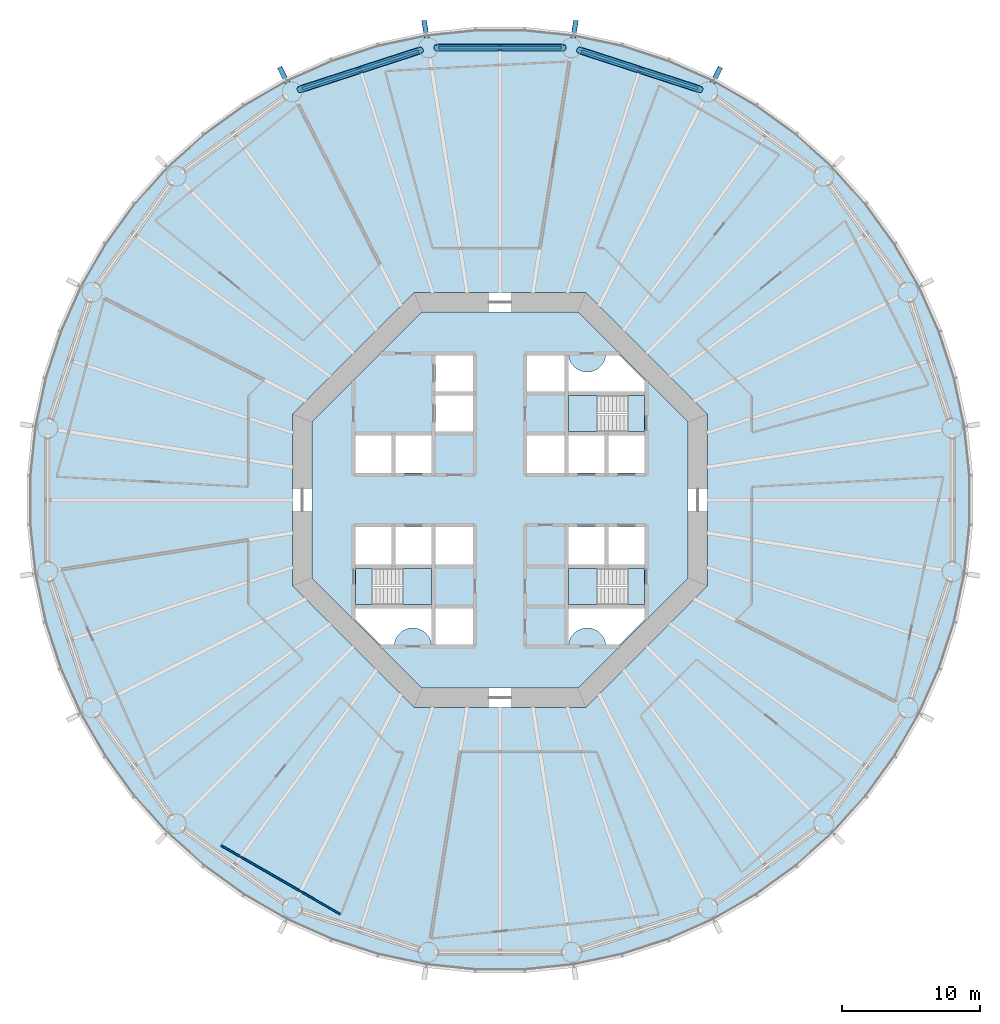
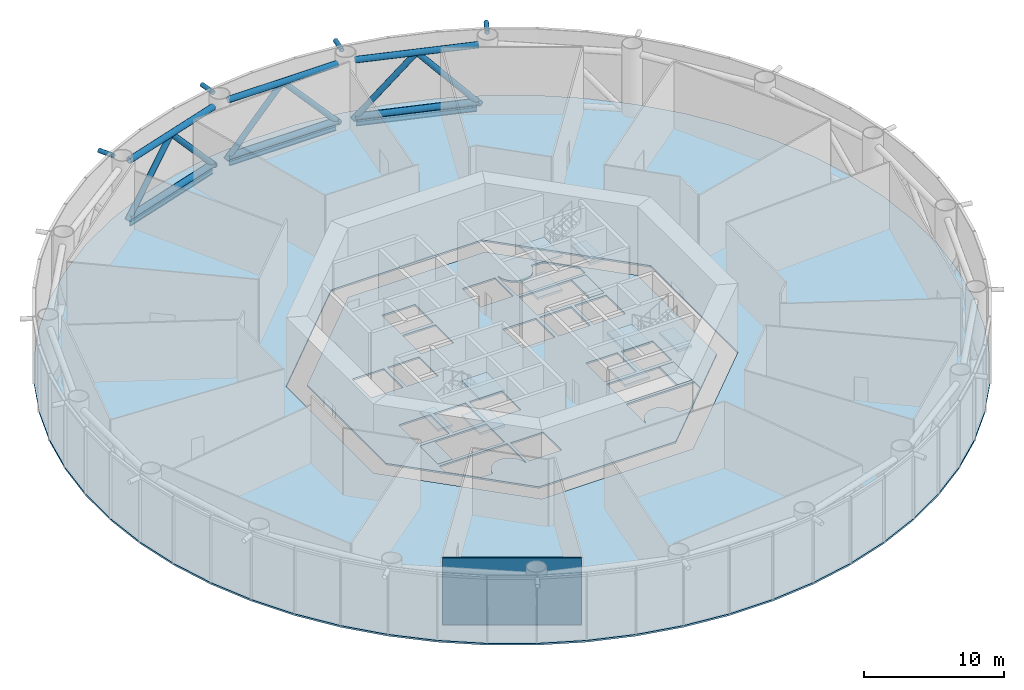
# One storey, part 3 of 14: 16 members, 14 slabs, 3 beams, 1 wall, 3 elements without a shape of their own.
"""IFC4 building model written with IfcOpenShell, lengths in metres."""

from ifc_helpers import new_model, si_unit, direction, frame, frame_2d, origin, origin_2d, place, context, subcontext, project, spatial, polyline, rectangle, circle, hollow_circle, i_section, outline, extrude, material, layer, layer_set, material_profile, profile_set, type_object, element, aggregate, save


model = new_model("IFC4")

# Units and contexts
model_context = context("Model", 3, precision=1e-05, world=origin(), true_north=direction((0.0, 1.0)))
body_context = subcontext(model_context, "Body", "Model", "MODEL_VIEW")
ifc_project = project(units=[si_unit("LENGTHUNIT", "METRE"), si_unit("AREAUNIT", "SQUARE_METRE"), si_unit("VOLUMEUNIT", "CUBIC_METRE"), si_unit("PLANEANGLEUNIT", "RADIAN"), si_unit("MASSUNIT", "GRAM", prefix="KILO")], contexts=[model_context])

# Site, building, storey
site_placement = place(None, origin())
site = spatial("IfcSite", under=ifc_project, at=site_placement, CompositionType="ELEMENT")
building_placement = place(site_placement, origin())
building = spatial("IfcBuilding", under=site, at=building_placement, Name="Entoto Ring Tower", CompositionType="ELEMENT")
storey_placement = place(building_placement, frame((0.0, 0.0, 12.0)))
storey = spatial("IfcBuildingStorey", under=building, at=storey_placement, Name="L01", CompositionType="ELEMENT", Elevation=12.0)

# Members
ifc_material_1 = material(Name="Steel S355", Category="steel")
ifc_material_profile_1 = material_profile(ifc_material_1, hollow_circle(Radius=0.177734375, WallThickness=0.01611328125, at=origin_2d()), Name="CHS 355.6 x 16")
ifc_material_2 = material(Name="Concrete C60/75", Category="concrete")
ifc_material_profile_2 = material_profile(ifc_material_2, circle(Radius=0.161865234375, at=origin_2d()), Name="Concrete C60/75 infill")
ifc_profile_set_1 = profile_set([ifc_material_profile_1, ifc_material_profile_2], Name="Steel S355")
member_type_1 = type_object("IfcMemberType", Name="Diagrid node strut 355.6 x 16", PredefinedType="STRUT", material=ifc_profile_set_1)
member_1_placement = place(storey_placement, frame((105.3486328125, 110.12353515625, 5.672119140625), z_axis=(0.454005059644, 0.890999105397, 0.0), x_axis=(-0.890999105397, 0.454005059644, 0.0)))
element("IfcMember", 1, at=member_1_placement, inside=storey, type_object=member_type_1, Name="DS1 strut ring 1 03", PredefinedType="STRUT", context=body_context, shape_type="SweptSolid", body=[
    extrude(hollow_circle(Radius=0.177734375, WallThickness=0.01611328125, at=origin_2d()), origin(), (0.0, 0.0, 1.0), 1.291748046875),
])
for number, where, z_axis, x_axis, name in (
    (2, (95.288818359375, 113.392333984375, 5.672119140625), (0.156515841394, 0.98767544841, 0.0), (-0.98767544841, 0.156515841394, 0.0), "DS1 strut ring 1 04"),
    (3, (84.711181640625, 113.392333984375, 5.672119140625), (-0.156515841394, 0.98767544841, 0.0), (-0.98767544841, -0.156515841394, 0.0), "DS1 strut ring 1 05"),
):
    element("IfcMember", number, at=place(storey_placement, frame(where, z_axis=z_axis, x_axis=x_axis)), inside=storey, type_object=member_type_1, Name=name, PredefinedType="STRUT", context=body_context, shape_type="SweptSolid", body=[
        extrude(hollow_circle(Radius=0.177734375, WallThickness=0.01611328125, at=origin_2d()), origin(), (0.0, 0.0, 1.0), 1.29150390625),
    ])
member_2_placement = place(storey_placement, frame((74.6513671875, 110.12353515625, 5.672119140625), z_axis=(-0.454005059644, 0.890999105397, 0.0), x_axis=(-0.890999105397, -0.454005059644, 0.0)))
element("IfcMember", 4, at=member_2_placement, inside=storey, type_object=member_type_1, Name="DS1 strut ring 1 06", PredefinedType="STRUT", context=body_context, shape_type="SweptSolid", body=[
    extrude(hollow_circle(Radius=0.177734375, WallThickness=0.01611328125, at=origin_2d()), origin(), (0.0, 0.0, 1.0), 1.291748046875),
])

# Beams
ifc_material_3 = material(Name="Steel S355", Category="steel")
ifc_material_profile_3 = material_profile(ifc_material_3, i_section(OverallWidth=0.179931640625, OverallDepth=0.39990234375, WebThickness=0.008544921875, FlangeThickness=0.013427734375, FilletRadius=0.02099609375, at=origin_2d()), Name="IPE 400")
ifc_profile_set_2 = profile_set([ifc_material_profile_3], Name="Steel S355")
beam_type = type_object("IfcBeamType", Name="Edge beam IPE 400", PredefinedType="SPANDREL", material=ifc_profile_set_2)
beam_1_placement = place(storey_placement, frame((104.290283203125, 109.731689453125, -0.35009765625), z_axis=(-0.951054032087, 0.309024639878, 0.0), x_axis=(-0.309024639878, -0.951054032087, 0.0)))
element("IfcBeam", 5, at=beam_1_placement, inside=storey, type_object=beam_type, Name="Edge beam L01 04", PredefinedType="SPANDREL", context=body_context, shape_type="SweptSolid", body=[
    extrude(i_section(OverallWidth=0.179931640625, OverallDepth=0.39990234375, WebThickness=0.008544921875, FlangeThickness=0.013427734375, FilletRadius=0.02099609375, at=origin_2d()), origin(), (0.0, 0.0, 1.0), 8.806640625),
])
beam_2_placement = place(storey_placement, frame((94.403076171875, 112.6923828125, -0.35009765625), z_axis=(-1.0, 0.0, 0.0), x_axis=(0.0, -1.0, 0.0)))
element("IfcBeam", 6, at=beam_2_placement, inside=storey, type_object=beam_type, Name="Edge beam L01 05", PredefinedType="SPANDREL", context=body_context, shape_type="SweptSolid", body=[
    extrude(i_section(OverallWidth=0.179931640625, OverallDepth=0.39990234375, WebThickness=0.008544921875, FlangeThickness=0.013427734375, FilletRadius=0.02099609375, at=origin_2d()), origin(), (0.0, 0.0, 1.0), 8.80615234375),
])
beam_3_placement = place(storey_placement, frame((84.085205078125, 112.453125, -0.35009765625), z_axis=(-0.951054032087, -0.309024639878, 0.0), x_axis=(0.309024639878, -0.951054032087, 0.0)))
element("IfcBeam", 7, at=beam_3_placement, inside=storey, type_object=beam_type, Name="Edge beam L01 06", PredefinedType="SPANDREL", context=body_context, shape_type="SweptSolid", body=[
    extrude(i_section(OverallWidth=0.179931640625, OverallDepth=0.39990234375, WebThickness=0.008544921875, FlangeThickness=0.013427734375, FilletRadius=0.02099609375, at=origin_2d()), origin(), (0.0, 0.0, 1.0), 8.806640625),
])

# Members
ifc_material_4 = material(Name="Steel S355", Category="steel")
ifc_material_profile_4 = material_profile(ifc_material_4, hollow_circle(Radius=0.25390625, WallThickness=0.030029296875, at=origin_2d()), Name="CHS 508 x 30")
ifc_material_5 = material(Name="Concrete C60/75", Category="concrete")
ifc_material_profile_5 = material_profile(ifc_material_5, circle(Radius=0.22412109375, at=origin_2d()), Name="Concrete C60/75 infill")
ifc_profile_set_3 = profile_set([ifc_material_profile_4, ifc_material_profile_5], Name="Steel S355")
member_type_2 = type_object("IfcMemberType", Name="Ring truss chord 508 x 30", PredefinedType="CHORD", material=ifc_profile_set_3)
for number, where, z_axis, x_axis, name in (
    (8, (104.375, 109.7041015625, 0.25390625), (-0.951050042459, 0.309036918083, 0.0), (-0.309036918083, -0.951050042459, 0.0), "BT1 L01 bottom 04"),
    (9, (104.375, 109.7041015625, 5.196044921875), (-0.951050042459, 0.309036918083, 0.0), (-0.309036918083, -0.951050042459, 0.0), "BT1 L01 top 04"),
):
    element("IfcMember", number, at=place(storey_placement, frame(where, z_axis=z_axis, x_axis=x_axis)), inside=storey, type_object=member_type_2, Name=name, PredefinedType="CHORD", context=body_context, shape_type="SweptSolid", body=[
        extrude(hollow_circle(Radius=0.25390625, WallThickness=0.030029296875, at=origin_2d()), origin(), (0.0, 0.0, 1.0), 8.984619140625),
    ])
for number, where, z_axis, x_axis, name in (
    (10, (94.492431640625, 112.6923828125, 0.25390625), (-1.0, 0.0, 0.0), (0.0, -1.0, 0.0), "BT1 L01 bottom 05"),
    (11, (94.492431640625, 112.6923828125, 5.196044921875), (-1.0, 0.0, 0.0), (0.0, -1.0, 0.0), "BT1 L01 top 05"),
):
    element("IfcMember", number, at=place(storey_placement, frame(where, z_axis=z_axis, x_axis=x_axis)), inside=storey, type_object=member_type_2, Name=name, PredefinedType="CHORD", context=body_context, shape_type="SweptSolid", body=[
        extrude(hollow_circle(Radius=0.25390625, WallThickness=0.030029296875, at=origin_2d()), origin(), (0.0, 0.0, 1.0), 8.98486328125),
    ])
for number, where, z_axis, x_axis, name in (
    (12, (84.169921875, 112.480712890625, 0.25390625), (-0.951050042459, -0.309036918083, 0.0), (0.309036918083, -0.951050042459, 0.0), "BT1 L01 bottom 06"),
    (13, (84.169921875, 112.480712890625, 5.196044921875), (-0.951050042459, -0.309036918083, 0.0), (0.309036918083, -0.951050042459, 0.0), "BT1 L01 top 06"),
):
    element("IfcMember", number, at=place(storey_placement, frame(where, z_axis=z_axis, x_axis=x_axis)), inside=storey, type_object=member_type_2, Name=name, PredefinedType="CHORD", context=body_context, shape_type="SweptSolid", body=[
        extrude(hollow_circle(Radius=0.25390625, WallThickness=0.030029296875, at=origin_2d()), origin(), (0.0, 0.0, 1.0), 8.984619140625),
    ])
ifc_material_6 = material(Name="Steel S355", Category="steel")
ifc_material_profile_6 = material_profile(ifc_material_6, hollow_circle(Radius=0.228515625, WallThickness=0.02001953125, at=origin_2d()), Name="CHS 457 x 20")
ifc_material_7 = material(Name="Concrete C60/75", Category="concrete")
ifc_material_profile_7 = material_profile(ifc_material_7, circle(Radius=0.20849609375, at=origin_2d()), Name="Concrete C60/75 infill")
ifc_profile_set_4 = profile_set([ifc_material_profile_6, ifc_material_profile_7], Name="Steel S355")
member_type_3 = type_object("IfcMemberType", Name="Ring truss diagonal 457 x 20", PredefinedType="BRACE", material=ifc_profile_set_4)
member_3_placement = place(storey_placement, frame((104.48828125, 109.667236328125, 0.049072265625), z_axis=(-0.634636973002, 0.20621108948, 0.744790506837), x_axis=(-0.309023821903, -0.95105429787, 0.0)))
element("IfcMember", 14, at=member_3_placement, inside=storey, type_object=member_type_3, Name="BT2 L01 04 a", PredefinedType="BRACE", context=body_context, shape_type="SweptSolid", body=[
    extrude(hollow_circle(Radius=0.228515625, WallThickness=0.02001953125, at=origin_2d()), origin(), (0.0, 0.0, 1.0), 6.91064453125),
])
member_4_placement = place(storey_placement, frame((100.1025390625, 111.09228515625, 5.196044921875), z_axis=(-0.634658071601, 0.206206466125, -0.744773808266), x_axis=(-0.309008263005, -0.951059353245, 0.0)))
element("IfcMember", 15, at=member_4_placement, inside=storey, type_object=member_type_3, Name="BT2 L01 04 b", PredefinedType="BRACE", context=body_context, shape_type="SweptSolid", body=[
    extrude(hollow_circle(Radius=0.228515625, WallThickness=0.02001953125, at=origin_2d()), origin(), (0.0, 0.0, 1.0), 6.910888671875),
])
for number, where, z_axis, x_axis, name in (
    (16, (94.611572265625, 112.6923828125, 0.049072265625), (-0.667307933616, 0.0, 0.744781928979), (0.0, -1.0, 0.0), "BT2 L01 05 a"),
    (17, (90.0, 112.6923828125, 5.196044921875), (-0.667307933616, 0.0, -0.744781928979), (0.0, -1.0, 0.0), "BT2 L01 05 b"),
):
    element("IfcMember", number, at=place(storey_placement, frame(where, z_axis=z_axis, x_axis=x_axis)), inside=storey, type_object=member_type_3, Name=name, PredefinedType="BRACE", context=body_context, shape_type="SweptSolid", body=[
        extrude(hollow_circle(Radius=0.228515625, WallThickness=0.02001953125, at=origin_2d()), origin(), (0.0, 0.0, 1.0), 6.91064453125),
    ])
member_5_placement = place(storey_placement, frame((84.283447265625, 112.517333984375, 0.049072265625), z_axis=(-0.634658071601, -0.206206466125, 0.744773808266), x_axis=(0.309008263005, -0.951059353245, 0.0)))
element("IfcMember", 18, at=member_5_placement, inside=storey, type_object=member_type_3, Name="BT2 L01 06 a", PredefinedType="BRACE", context=body_context, shape_type="SweptSolid", body=[
    extrude(hollow_circle(Radius=0.228515625, WallThickness=0.02001953125, at=origin_2d()), origin(), (0.0, 0.0, 1.0), 6.910888671875),
])
member_6_placement = place(storey_placement, frame((79.8974609375, 111.09228515625, 5.196044921875), z_axis=(-0.634636973002, -0.20621108948, -0.744790506837), x_axis=(0.309023821903, -0.95105429787, 0.0)))
element("IfcMember", 19, at=member_6_placement, inside=storey, type_object=member_type_3, Name="BT2 L01 06 b", PredefinedType="BRACE", context=body_context, shape_type="SweptSolid", body=[
    extrude(hollow_circle(Radius=0.228515625, WallThickness=0.02001953125, at=origin_2d()), origin(), (0.0, 0.0, 1.0), 6.91064453125),
])

# Slabs
ifc_material_8 = material(Name="Concrete C30/37", Category="concrete")
ifc_layer_1 = layer(ifc_material_8, 0.14990234375)
ifc_layer_set_1 = layer_set([ifc_layer_1], Name="Concrete C30/37")
slab_type_1 = type_object("IfcSlabType", Name="Composite floor slab 150 mm", PredefinedType="FLOOR", material=ifc_layer_set_1)
slab_1_placement = place(storey_placement, frame((0.0, 0.0, -0.14990234375)))
element("IfcSlab", 20, at=slab_1_placement, inside=storey, type_object=slab_type_1, Name="Floor slab L01", PredefinedType="FLOOR", context=body_context, shape_type="SweptSolid", body=[
    extrude(outline(polyline([(123.68017578125, 85.33447265625), (122.93798828125, 88.82568359375), (121.835205078125, 92.220458984375), (120.38330078125, 95.48095703125), (118.5986328125, 98.572265625), (116.500732421875, 101.459716796875), (114.1123046875, 104.1123046875), (111.459716796875, 106.500732421875), (108.572265625, 108.5986328125), (105.48095703125, 110.38330078125), (102.220458984375, 111.835205078125), (98.82568359375, 112.93798828125), (95.33447265625, 113.68017578125), (91.78466796875, 114.05322265625), (88.21533203125, 114.05322265625), (84.66552734375, 113.68017578125), (81.17431640625, 112.93798828125), (77.779541015625, 111.835205078125), (74.51904296875, 110.38330078125), (71.427734375, 108.5986328125), (68.540283203125, 106.500732421875), (65.8876953125, 104.1123046875), (63.499267578125, 101.459716796875), (61.4013671875, 98.572265625), (59.61669921875, 95.48095703125), (58.164794921875, 92.220458984375), (57.06201171875, 88.82568359375), (56.31982421875, 85.33447265625), (55.94677734375, 81.78466796875), (55.94677734375, 78.21533203125), (56.31982421875, 74.66552734375), (57.06201171875, 71.17431640625), (58.164794921875, 67.779541015625), (59.61669921875, 64.51904296875), (61.4013671875, 61.427734375), (63.499267578125, 58.540283203125), (65.8876953125, 55.8876953125), (68.540283203125, 53.499267578125), (71.427734375, 51.4013671875), (74.51904296875, 49.61669921875), (77.779541015625, 48.164794921875), (81.17431640625, 47.06201171875), (84.66552734375, 46.31982421875), (88.21533203125, 45.94677734375), (91.78466796875, 45.94677734375), (95.33447265625, 46.31982421875), (98.82568359375, 47.06201171875), (102.220458984375, 48.164794921875), (105.48095703125, 49.61669921875), (108.572265625, 51.4013671875), (111.459716796875, 53.499267578125), (114.1123046875, 55.8876953125), (116.500732421875, 58.540283203125), (118.5986328125, 61.427734375), (120.38330078125, 64.51904296875), (121.835205078125, 67.779541015625), (122.93798828125, 71.17431640625), (123.68017578125, 74.66552734375), (124.05322265625, 78.21533203125), (124.05322265625, 81.78466796875), (123.68017578125, 85.33447265625)]), holes=[polyline([(105.0, 73.786865234375), (105.0, 86.213134765625), (96.213134765625, 95.0), (83.786865234375, 95.0), (75.0, 86.213134765625), (75.0, 73.786865234375), (83.786865234375, 65.0), (96.213134765625, 65.0), (105.0, 73.786865234375)])]), origin(), (0.0, 0.0, 1.0), 0.14990234375),
])
ifc_material_9 = material(Name="Concrete C40/50", Category="concrete")
ifc_layer_2 = layer(ifc_material_9, 0.14990234375)
ifc_layer_set_2 = layer_set([ifc_layer_2], Name="Concrete C40/50")
slab_type_2 = type_object("IfcSlabType", Name="Core floor slab 150 mm reinforced concrete C40/50", PredefinedType="FLOOR", material=ifc_layer_set_2)
slab_2_placement = place(storey_placement, frame((0.0, 0.0, -0.14990234375)))
element("IfcSlab", 21, at=slab_2_placement, inside=storey, type_object=slab_type_2, Name="Core floor L01", PredefinedType="FLOOR", context=body_context, shape_type="SweptSolid", body=[
    extrude(outline(polyline([(103.60009765625, 74.36669921875), (103.60009765625, 85.63330078125), (95.63330078125, 93.60009765625), (84.36669921875, 93.60009765625), (76.39990234375, 85.63330078125), (76.39990234375, 74.36669921875), (84.36669921875, 66.39990234375), (95.63330078125, 66.39990234375), (103.60009765625, 74.36669921875)]), holes=[polyline([(100.449951171875, 84.949951171875), (100.449951171875, 87.550048828125), (94.949951171875, 87.550048828125), (94.949951171875, 84.949951171875), (100.449951171875, 84.949951171875)]), polyline([(85.050048828125, 72.449951171875), (85.050048828125, 75.050048828125), (79.550048828125, 75.050048828125), (79.550048828125, 72.449951171875), (85.050048828125, 72.449951171875)]), polyline([(100.449951171875, 72.449951171875), (100.449951171875, 75.050048828125), (94.949951171875, 75.050048828125), (94.949951171875, 72.449951171875), (100.449951171875, 72.449951171875)]), polyline([(94.949951171875, 81.949951171875), (97.550048828125, 81.949951171875), (97.550048828125, 84.64990234375), (94.949951171875, 84.64990234375), (94.949951171875, 81.949951171875)]), polyline([(97.85009765625, 81.949951171875), (100.449951171875, 81.949951171875), (100.449951171875, 84.64990234375), (97.85009765625, 84.64990234375), (97.85009765625, 81.949951171875)]), polyline([(82.449951171875, 81.949951171875), (85.050048828125, 81.949951171875), (85.050048828125, 84.64990234375), (82.449951171875, 84.64990234375), (82.449951171875, 81.949951171875)]), polyline([(94.949951171875, 75.35009765625), (97.550048828125, 75.35009765625), (97.550048828125, 78.050048828125), (94.949951171875, 78.050048828125), (94.949951171875, 75.35009765625)]), polyline([(97.85009765625, 75.35009765625), (100.449951171875, 75.35009765625), (100.449951171875, 78.050048828125), (97.85009765625, 78.050048828125), (97.85009765625, 75.35009765625)]), polyline([(82.449951171875, 75.35009765625), (85.050048828125, 75.35009765625), (85.050048828125, 78.050048828125), (82.449951171875, 78.050048828125), (82.449951171875, 75.35009765625)]), polyline([(79.550048828125, 81.949951171875), (82.14990234375, 81.949951171875), (82.14990234375, 84.64990234375), (79.550048828125, 84.64990234375), (79.550048828125, 81.949951171875)]), polyline([(79.550048828125, 75.35009765625), (82.14990234375, 75.35009765625), (82.14990234375, 78.050048828125), (79.550048828125, 78.050048828125), (79.550048828125, 75.35009765625)]), polyline([(91.949951171875, 87.85009765625), (94.64990234375, 87.85009765625), (94.64990234375, 90.449951171875), (91.949951171875, 90.449951171875), (91.949951171875, 87.85009765625)]), polyline([(85.35009765625, 69.550048828125), (88.050048828125, 69.550048828125), (88.050048828125, 72.14990234375), (85.35009765625, 72.14990234375), (85.35009765625, 69.550048828125)]), polyline([(91.949951171875, 81.949951171875), (94.64990234375, 81.949951171875), (94.64990234375, 84.64990234375), (91.949951171875, 84.64990234375), (91.949951171875, 81.949951171875)]), polyline([(85.35009765625, 75.35009765625), (88.050048828125, 75.35009765625), (88.050048828125, 78.050048828125), (85.35009765625, 78.050048828125), (85.35009765625, 75.35009765625)]), polyline([(85.35009765625, 84.949951171875), (88.050048828125, 84.949951171875), (88.050048828125, 87.550048828125), (85.35009765625, 87.550048828125), (85.35009765625, 84.949951171875)]), polyline([(85.35009765625, 87.85009765625), (88.050048828125, 87.85009765625), (88.050048828125, 90.449951171875), (85.35009765625, 90.449951171875), (85.35009765625, 87.85009765625)]), polyline([(94.89990234375, 90.5), (94.89990234375, 87.800048828125), (100.5, 87.800048828125), (100.5, 88.591796875), (98.591796875, 90.5), (97.64501953125, 90.5), (97.6435546875, 90.4677734375), (97.6240234375, 90.336669921875), (97.591796875, 90.2080078125), (97.547119140625, 90.08349609375), (97.490478515625, 89.963623046875), (97.422607421875, 89.85009765625), (97.343505859375, 89.74365234375), (97.254638671875, 89.6455078125), (97.156494140625, 89.556396484375), (97.050048828125, 89.4775390625), (96.936279296875, 89.409423828125), (96.816650390625, 89.352783203125), (96.69189453125, 89.30810546875), (96.5634765625, 89.27587890625), (96.432373046875, 89.256591796875), (96.300048828125, 89.25), (96.167724609375, 89.256591796875), (96.03662109375, 89.27587890625), (95.908203125, 89.30810546875), (95.783447265625, 89.352783203125), (95.66357421875, 89.409423828125), (95.550048828125, 89.4775390625), (95.443603515625, 89.556396484375), (95.345458984375, 89.6455078125), (95.25634765625, 89.74365234375), (95.177490234375, 89.85009765625), (95.109375, 89.963623046875), (95.052734375, 90.08349609375), (95.008056640625, 90.2080078125), (94.975830078125, 90.336669921875), (94.95654296875, 90.4677734375), (94.954833984375, 90.5), (94.89990234375, 90.5)]), polyline([(79.5, 71.408203125), (81.408203125, 69.5), (82.35498046875, 69.5), (82.3564453125, 69.5322265625), (82.3759765625, 69.663330078125), (82.408203125, 69.7919921875), (82.452880859375, 69.91650390625), (82.509521484375, 70.036376953125), (82.577392578125, 70.14990234375), (82.656494140625, 70.25634765625), (82.745361328125, 70.3544921875), (82.843505859375, 70.443603515625), (82.949951171875, 70.5224609375), (83.063720703125, 70.590576171875), (83.183349609375, 70.647216796875), (83.30810546875, 70.69189453125), (83.4365234375, 70.72412109375), (83.567626953125, 70.743408203125), (83.699951171875, 70.75), (83.832275390625, 70.743408203125), (83.96337890625, 70.72412109375), (84.091796875, 70.69189453125), (84.216552734375, 70.647216796875), (84.33642578125, 70.590576171875), (84.449951171875, 70.5224609375), (84.556396484375, 70.443603515625), (84.654541015625, 70.3544921875), (84.74365234375, 70.25634765625), (84.822509765625, 70.14990234375), (84.890625, 70.036376953125), (84.947265625, 69.91650390625), (84.991943359375, 69.7919921875), (85.024169921875, 69.663330078125), (85.04345703125, 69.5322265625), (85.045166015625, 69.5), (85.10009765625, 69.5), (85.10009765625, 72.199951171875), (79.5, 72.199951171875), (79.5, 71.408203125)]), polyline([(97.64501953125, 69.5), (98.591796875, 69.5), (100.5, 71.408203125), (100.5, 72.199951171875), (94.89990234375, 72.199951171875), (94.89990234375, 69.5), (94.954833984375, 69.5), (94.95654296875, 69.5322265625), (94.975830078125, 69.663330078125), (95.008056640625, 69.7919921875), (95.052734375, 69.91650390625), (95.109375, 70.036376953125), (95.177490234375, 70.14990234375), (95.25634765625, 70.25634765625), (95.345458984375, 70.3544921875), (95.443603515625, 70.443603515625), (95.550048828125, 70.5224609375), (95.66357421875, 70.590576171875), (95.783447265625, 70.647216796875), (95.908203125, 70.69189453125), (96.03662109375, 70.72412109375), (96.167724609375, 70.743408203125), (96.300048828125, 70.75), (96.432373046875, 70.743408203125), (96.5634765625, 70.72412109375), (96.69189453125, 70.69189453125), (96.816650390625, 70.647216796875), (96.936279296875, 70.590576171875), (97.050048828125, 70.5224609375), (97.156494140625, 70.443603515625), (97.254638671875, 70.3544921875), (97.343505859375, 70.25634765625), (97.422607421875, 70.14990234375), (97.490478515625, 70.036376953125), (97.547119140625, 69.91650390625), (97.591796875, 69.7919921875), (97.6240234375, 69.663330078125), (97.6435546875, 69.5322265625), (97.64501953125, 69.5)])]), origin(), (0.0, 0.0, 1.0), 0.14990234375),
])

# Stair, slabs
ifc_material_10 = material(Name="Concrete C40/50", Category="concrete")
stair_type = type_object("IfcStairType", Name="Exit stair 1200 mm dog-leg reinforced concrete", PredefinedType="HALF_TURN_STAIR", material=ifc_material_10)
stair_1_placement = place(storey_placement, origin())
stair_1 = element("IfcStair", 22, at=stair_1_placement, inside=storey, type_object=stair_type, Name="Exit stair 1", PredefinedType="HALF_TURN_STAIR")
ifc_material_11 = material(Name="Concrete C40/50", Category="concrete")
ifc_layer_3 = layer(ifc_material_11, 0.199951171875)
ifc_layer_set_3 = layer_set([ifc_layer_3], Name="Concrete C40/50")
slab_type_3 = type_object("IfcSlabType", Name="Stair landing 200 mm reinforced concrete", PredefinedType="LANDING", material=ifc_layer_set_3)
slab_3_placement = place(storey_placement, frame((0.0, 0.0, -0.199951171875)))
slab_3 = element("IfcSlab", 23, at=slab_3_placement, type_object=slab_type_3, Name="ST1 landing 1", PredefinedType="LANDING", context=body_context, shape_type="SweptSolid", body=[
    extrude(outline(polyline([(100.449951171875, 84.949951171875), (100.449951171875, 87.550048828125), (99.25, 87.550048828125), (99.25, 84.949951171875), (100.449951171875, 84.949951171875)])), origin(), (0.0, 0.0, 1.0), 0.199951171875),
])
slab_4_placement = place(storey_placement, frame((0.0, 0.0, 1.300048828125)))
slab_4 = element("IfcSlab", 24, at=slab_4_placement, type_object=slab_type_3, Name="ST1 landing 2", PredefinedType="LANDING", context=body_context, shape_type="SweptSolid", body=[
    extrude(outline(polyline([(94.949951171875, 84.949951171875), (97.010009765625, 84.949951171875), (97.010009765625, 87.550048828125), (94.949951171875, 87.550048828125), (94.949951171875, 84.949951171875)])), origin(), (0.0, 0.0, 1.0), 0.199951171875),
])
slab_5_placement = place(storey_placement, frame((0.0, 0.0, 2.800048828125)))
slab_5 = element("IfcSlab", 25, at=slab_5_placement, type_object=slab_type_3, Name="ST1 landing 3", PredefinedType="LANDING", context=body_context, shape_type="SweptSolid", body=[
    extrude(outline(polyline([(99.25, 84.949951171875), (100.449951171875, 84.949951171875), (100.449951171875, 87.550048828125), (99.25, 87.550048828125), (99.25, 84.949951171875)])), origin(), (0.0, 0.0, 1.0), 0.199951171875),
])
slab_6_placement = place(storey_placement, frame((0.0, 0.0, 4.300048828125)))
slab_6 = element("IfcSlab", 26, at=slab_6_placement, type_object=slab_type_3, Name="ST1 landing 4", PredefinedType="LANDING", context=body_context, shape_type="SweptSolid", body=[
    extrude(outline(polyline([(94.949951171875, 84.949951171875), (97.010009765625, 84.949951171875), (97.010009765625, 87.550048828125), (94.949951171875, 87.550048828125), (94.949951171875, 84.949951171875)])), origin(), (0.0, 0.0, 1.0), 0.199951171875),
])
aggregate(stair_1, [slab_3, slab_4, slab_5, slab_6])

stair_2_placement = place(storey_placement, origin())
stair_2 = element("IfcStair", 27, at=stair_2_placement, inside=storey, type_object=stair_type, Name="Exit stair 2", PredefinedType="HALF_TURN_STAIR")
slab_7_placement = place(storey_placement, frame((0.0, 0.0, -0.199951171875)))
slab_7 = element("IfcSlab", 28, at=slab_7_placement, type_object=slab_type_3, Name="ST2 landing 1", PredefinedType="LANDING", context=body_context, shape_type="SweptSolid", body=[
    extrude(outline(polyline([(80.75, 72.449951171875), (80.75, 75.050048828125), (79.550048828125, 75.050048828125), (79.550048828125, 72.449951171875), (80.75, 72.449951171875)])), origin(), (0.0, 0.0, 1.0), 0.199951171875),
])
slab_8_placement = place(storey_placement, frame((0.0, 0.0, 1.300048828125)))
slab_8 = element("IfcSlab", 29, at=slab_8_placement, type_object=slab_type_3, Name="ST2 landing 2", PredefinedType="LANDING", context=body_context, shape_type="SweptSolid", body=[
    extrude(outline(polyline([(82.989990234375, 72.449951171875), (85.050048828125, 72.449951171875), (85.050048828125, 75.050048828125), (82.989990234375, 75.050048828125), (82.989990234375, 72.449951171875)])), origin(), (0.0, 0.0, 1.0), 0.199951171875),
])
slab_9_placement = place(storey_placement, frame((0.0, 0.0, 2.800048828125)))
slab_9 = element("IfcSlab", 30, at=slab_9_placement, type_object=slab_type_3, Name="ST2 landing 3", PredefinedType="LANDING", context=body_context, shape_type="SweptSolid", body=[
    extrude(outline(polyline([(79.550048828125, 72.449951171875), (80.75, 72.449951171875), (80.75, 75.050048828125), (79.550048828125, 75.050048828125), (79.550048828125, 72.449951171875)])), origin(), (0.0, 0.0, 1.0), 0.199951171875),
])
slab_10_placement = place(storey_placement, frame((0.0, 0.0, 4.300048828125)))
slab_10 = element("IfcSlab", 31, at=slab_10_placement, type_object=slab_type_3, Name="ST2 landing 4", PredefinedType="LANDING", context=body_context, shape_type="SweptSolid", body=[
    extrude(outline(polyline([(82.989990234375, 72.449951171875), (85.050048828125, 72.449951171875), (85.050048828125, 75.050048828125), (82.989990234375, 75.050048828125), (82.989990234375, 72.449951171875)])), origin(), (0.0, 0.0, 1.0), 0.199951171875),
])
aggregate(stair_2, [slab_7, slab_8, slab_9, slab_10])

stair_3_placement = place(storey_placement, origin())
stair_3 = element("IfcStair", 32, at=stair_3_placement, inside=storey, type_object=stair_type, Name="Exit stair 3", PredefinedType="HALF_TURN_STAIR")
slab_11_placement = place(storey_placement, frame((0.0, 0.0, -0.199951171875)))
slab_11 = element("IfcSlab", 33, at=slab_11_placement, type_object=slab_type_3, Name="ST3 landing 1", PredefinedType="LANDING", context=body_context, shape_type="SweptSolid", body=[
    extrude(outline(polyline([(100.449951171875, 72.449951171875), (100.449951171875, 75.050048828125), (99.25, 75.050048828125), (99.25, 72.449951171875), (100.449951171875, 72.449951171875)])), origin(), (0.0, 0.0, 1.0), 0.199951171875),
])
slab_12_placement = place(storey_placement, frame((0.0, 0.0, 1.300048828125)))
slab_12 = element("IfcSlab", 34, at=slab_12_placement, type_object=slab_type_3, Name="ST3 landing 2", PredefinedType="LANDING", context=body_context, shape_type="SweptSolid", body=[
    extrude(outline(polyline([(94.949951171875, 72.449951171875), (97.010009765625, 72.449951171875), (97.010009765625, 75.050048828125), (94.949951171875, 75.050048828125), (94.949951171875, 72.449951171875)])), origin(), (0.0, 0.0, 1.0), 0.199951171875),
])
slab_13_placement = place(storey_placement, frame((0.0, 0.0, 2.800048828125)))
slab_13 = element("IfcSlab", 35, at=slab_13_placement, type_object=slab_type_3, Name="ST3 landing 3", PredefinedType="LANDING", context=body_context, shape_type="SweptSolid", body=[
    extrude(outline(polyline([(99.25, 72.449951171875), (100.449951171875, 72.449951171875), (100.449951171875, 75.050048828125), (99.25, 75.050048828125), (99.25, 72.449951171875)])), origin(), (0.0, 0.0, 1.0), 0.199951171875),
])
slab_14_placement = place(storey_placement, frame((0.0, 0.0, 4.300048828125)))
slab_14 = element("IfcSlab", 36, at=slab_14_placement, type_object=slab_type_3, Name="ST3 landing 4", PredefinedType="LANDING", context=body_context, shape_type="SweptSolid", body=[
    extrude(outline(polyline([(94.949951171875, 72.449951171875), (97.010009765625, 72.449951171875), (97.010009765625, 75.050048828125), (94.949951171875, 75.050048828125), (94.949951171875, 72.449951171875)])), origin(), (0.0, 0.0, 1.0), 0.199951171875),
])
aggregate(stair_3, [slab_11, slab_12, slab_13, slab_14])

# Wall
ifc_material_12 = material(Name="Fire-resisting plasterboard on steel studs", Category="steel")
ifc_layer_4 = layer(ifc_material_12, 0.125)
ifc_layer_set_4 = layer_set([ifc_layer_4], Name="Fire-resisting plasterboard on steel studs")
wall_type = type_object("IfcWallType", Name="Corridor wall 125 mm one-hour plasterboard on steel studs", PredefinedType="PARTITIONING", material=ifc_layer_set_4)
wall_placement = place(storey_placement, frame((78.43310546875, 50.068603515625, 0.0), z_axis=(0.0, 0.0, 1.0), x_axis=(-0.86602578726, 0.499999335801, 0.0)))
element("IfcWall", 37, at=wall_placement, inside=storey, type_object=wall_type, Name="partition-L01-028", PredefinedType="PARTITIONING", context=body_context, shape_type="SweptSolid", body=[
    extrude(rectangle(XDim=9.89697265625, YDim=0.125, at=frame_2d((4.948486328125, 0.0))), origin(), (0.0, 0.0, 1.0), 5.85009765625),
])

save(model, "model.ifc")
